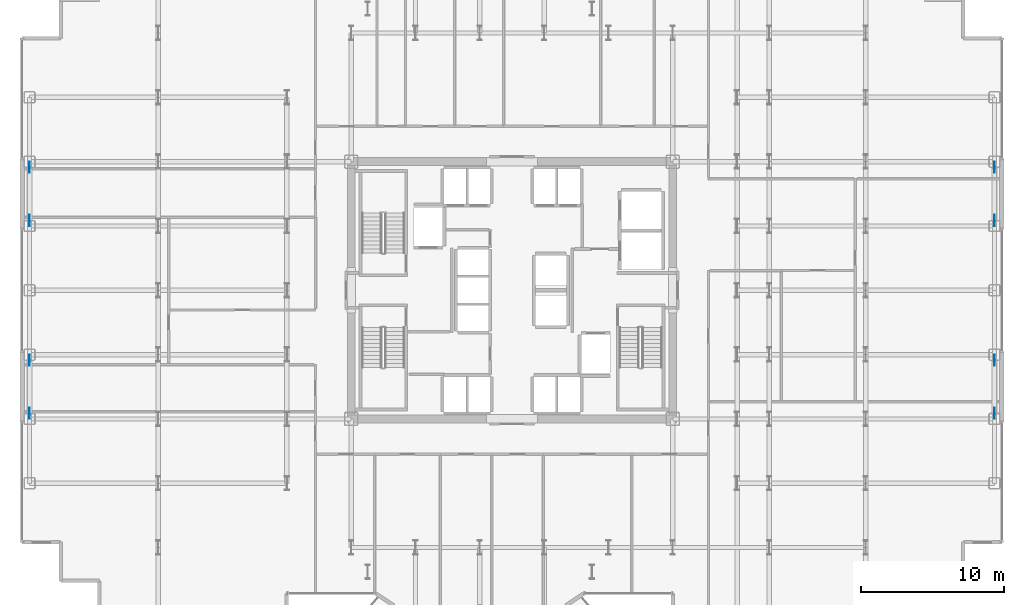
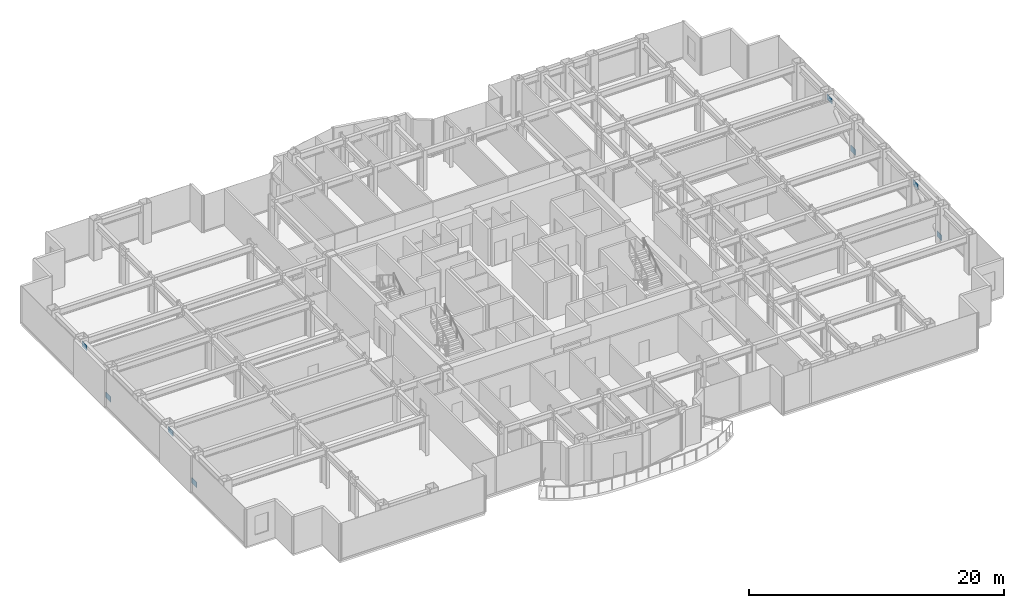
# One storey, part 21 of 29: 8 plates.
"""IFC4 building model written with IfcOpenShell, lengths in metres."""

from ifc_helpers import new_model, si_unit, direction, frame, origin, origin_2d, place, context, subcontext, project, spatial, rectangle, extrude, source, transform, mapped, material, layer, layer_set, type_object, element, save


model = new_model("IFC4")

# Units and contexts
model_context = context("Model", 3, precision=1e-05, world=origin(), true_north=direction((0.0, 1.0)))
body_context = subcontext(model_context, "Body", "Model", "MODEL_VIEW")
ifc_project = project(units=[si_unit("LENGTHUNIT", "METRE"), si_unit("AREAUNIT", "SQUARE_METRE"), si_unit("VOLUMEUNIT", "CUBIC_METRE"), si_unit("PLANEANGLEUNIT", "RADIAN"), si_unit("MASSUNIT", "GRAM", prefix="KILO")], contexts=[model_context])

# Site, building, storey
site_placement = place(None, origin())
site = spatial("IfcSite", under=ifc_project, at=site_placement, CompositionType="ELEMENT")
building_placement = place(site_placement, origin())
building = spatial("IfcBuilding", under=site, at=building_placement, Name="Nefas-Gora Pilgrimage Tower", CompositionType="ELEMENT")
storey_placement = place(building_placement, frame((0.0, 0.0, 113.60009765625)))
storey = spatial("IfcBuildingStorey", under=building, at=storey_placement, Name="L27", CompositionType="ELEMENT", Elevation=113.60009765625)

# Plates
ifc_material = material(Name="Steel S460", Category="steel")
ifc_layer = layer(ifc_material, 0.048095703125)
ifc_layer_set = layer_set([ifc_layer], Name="Steel S460")
plate_type = type_object("IfcPlateType", Name="PLT-NODE-N07", PredefinedType="USERDEFINED", material=ifc_layer_set)
shared_shape = source(origin(), body_context, "Body", "SweptSolid", [
    extrude(rectangle(XDim=0.780029296875, YDim=0.0380859375, at=origin_2d()), origin(), (0.0, 0.0, 1.0), 0.5400390625),
])
for number, where, z_axis, x_axis, name in (
    (1, (-33.75, -8.612060546875, 0.157470703125), (0.0, 0.0, 1.0), (0.0, 1.0, 0.0), "Structural Node Gusset Plate N07 (L27)"),
    (2, (-33.75, -4.887939453125, 2.822265625), (0.0, 0.0, 1.0), (0.0, 1.0, 0.0), "Structural Node Gusset Plate N07 (L27)"),
    (3, (-33.75, 4.887939453125, 0.157470703125), (0.0, 0.0, 1.0), (0.0, 1.0, 0.0), "Structural Node Gusset Plate N07 (L27)"),
    (4, (-33.75, 8.612060546875, 2.822265625), (0.0, 0.0, 1.0), (0.0, 1.0, 0.0), "Structural Node Gusset Plate N07 (L27)"),
    (5, (33.75, -8.612060546875, 0.157470703125), (0.0, 0.0, 1.0), (0.0, 1.0, 0.0), "Structural Node Gusset Plate N07 (L27)"),
    (6, (33.75, -4.887939453125, 2.822265625), (0.0, 0.0, 1.0), (0.0, 1.0, 0.0), "Structural Node Gusset Plate N07 (L27)"),
    (7, (33.75, 4.887939453125, 0.157470703125), (0.0, 0.0, 1.0), (0.0, 1.0, 0.0), "Structural Node Gusset Plate N07 (L27)"),
    (8, (33.75, 8.612060546875, 2.822265625), (0.0, 0.0, 1.0), (0.0, 1.0, 0.0), "Structural Node Gusset Plate N07 (L27)"),
):
    element("IfcPlate", number, at=place(storey_placement, frame(where, z_axis=z_axis, x_axis=x_axis)), inside=storey, type_object=plate_type, Name=name, ObjectType="GUSSET_PLATE", PredefinedType="USERDEFINED", context=body_context, shape_type="MappedRepresentation", body=[
        mapped(shared_shape, transform((0.0, 0.0, 0.0), x_axis=(1.0, 0.0, 0.0), y_axis=(0.0, 1.0, 0.0), z_axis=(0.0, 0.0, 1.0), scale=1.0)),
    ])

save(model, "model.ifc")
